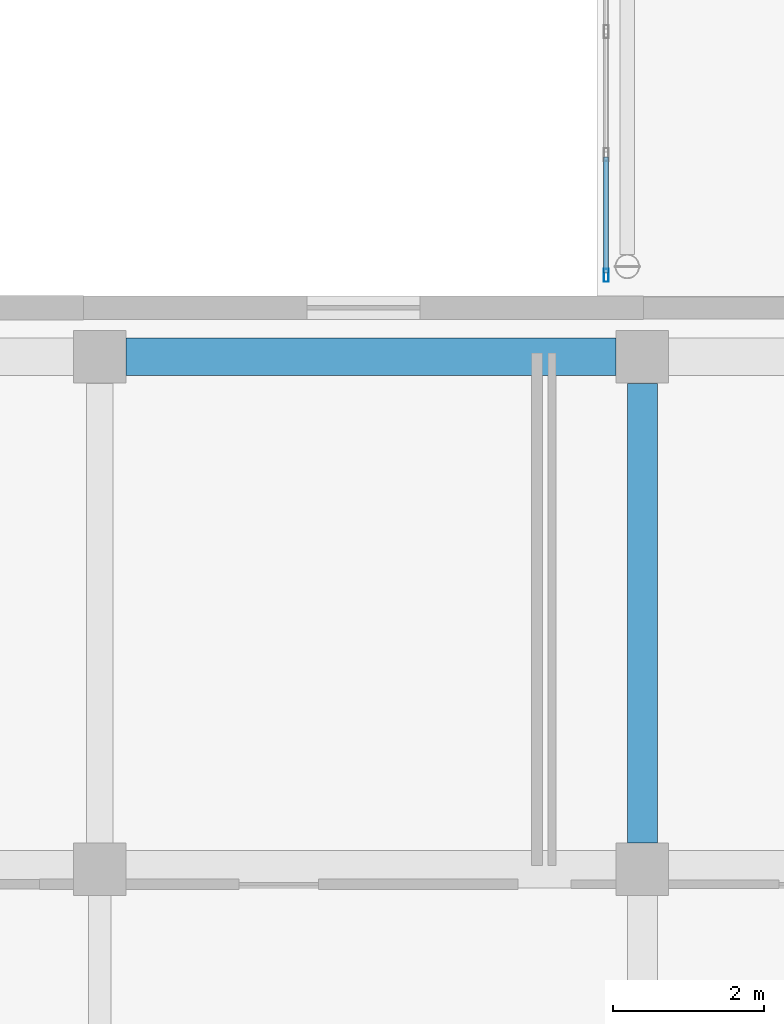
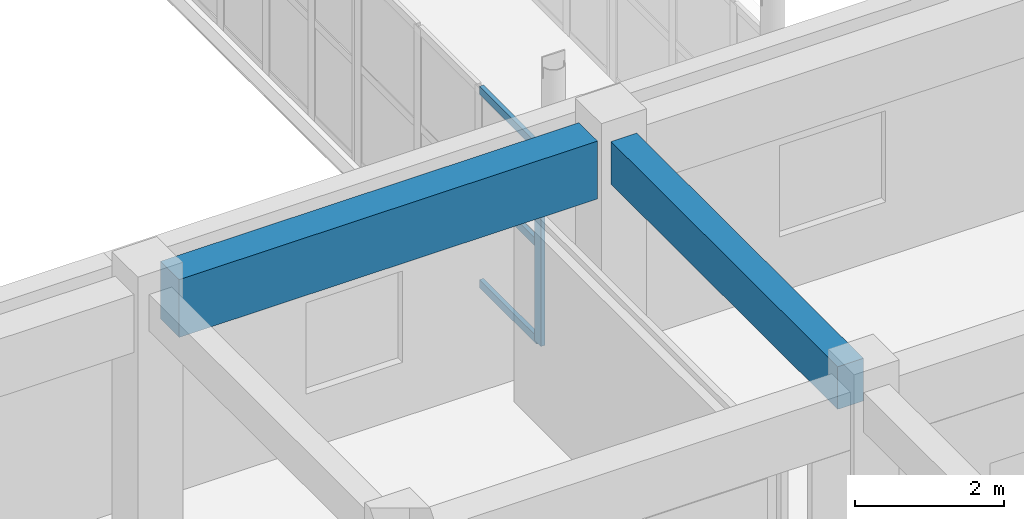
# One storey, part 19 of 142: 4 members, 2 beams, 1 element without a shape of its own.
"""IFC4 building model written with IfcOpenShell, lengths in metres."""

import ifcopenshell
import ifcopenshell.guid

model = None  # the IFC model being written
_history = None  # IfcOwnerHistory: only IFC2X3 demands one
_inside = {}  # id of a spatial element -> (the spatial element, [elements in it])
_under = {}  # id of a project, library or spatial element -> (it, [spatial elements below it])
_declared = {}  # id of a project -> (the project, [libraries it declares])
_typed = {}  # id of a type object -> (the type object, [elements of that type])
_made_of = {}  # id of a material, layer set ... -> (it, [elements and type objects made of it])


def new_model(schema):
    """Start an empty IFC model of exactly this schema.

    Asked for "IFC4X3", IfcOpenShell would pick the latest addendum, in which some entities
    have other attributes; the version numbers below select the first issue.
    IFC2X3 requires an IfcOwnerHistory on every rooted entity: one is made here for all.
    """
    global model, _history
    if schema == "IFC4X3":
        model = ifcopenshell.file(schema_version=(4, 3, 0, 0))
    else:
        model = ifcopenshell.file(schema=schema)
    _inside.clear()
    _under.clear()
    _declared.clear()
    _typed.clear()
    _made_of.clear()
    _history = None
    if model.schema == "IFC2X3":
        org = make("IfcOrganization", Name="unknown")
        user = make(
            "IfcPersonAndOrganization",
            ThePerson=make("IfcPerson", FamilyName="unknown"),
            TheOrganization=org,
        )
        app = make(
            "IfcApplication",
            ApplicationDeveloper=org,
            Version="unknown",
            ApplicationFullName="unknown",
            ApplicationIdentifier="unknown",
        )
        _history = make(
            "IfcOwnerHistory",
            OwningUser=user,
            OwningApplication=app,
            ChangeAction="ADDED",
            CreationDate=0,
        )
    return model


def make(cls, **values):
    """One entity of the class cls with the attributes given. An attribute that is None is left unset."""
    return model.create_entity(
        cls, **{name: value for name, value in values.items() if value is not None}
    )


def rooted(cls, **values):
    """An entity with a GlobalId (a new one), such as an element, a storey or a relation."""
    return make(cls, GlobalId=ifcopenshell.guid.new(), OwnerHistory=_history, **values)


def si_unit(unit_type, name, prefix=None):
    """IfcSIUnit, for example si_unit("LENGTHUNIT", "METRE", prefix="MILLI")."""
    return make("IfcSIUnit", UnitType=unit_type, Prefix=prefix, Name=name)


def assignment(units):
    """IfcUnitAssignment: the units of a project."""
    return None if units is None else make("IfcUnitAssignment", Units=units)


def point(xyz):
    """IfcCartesianPoint."""
    return None if xyz is None else make("IfcCartesianPoint", Coordinates=xyz)


def direction(xyz):
    """IfcDirection."""
    return None if xyz is None else make("IfcDirection", DirectionRatios=xyz)


def frame(location, z_axis=None, x_axis=None):
    """IfcAxis2Placement3D, a coordinate frame: its origin and axes. An axis left out is left unset."""
    return make(
        "IfcAxis2Placement3D",
        Location=point(location),
        Axis=direction(z_axis),
        RefDirection=direction(x_axis),
    )


def frame_2d(location, x_axis=None):
    """IfcAxis2Placement2D, a coordinate frame in the plane: its origin and x axis."""
    return make(
        "IfcAxis2Placement2D", Location=point(location), RefDirection=direction(x_axis)
    )


def origin():
    """The frame at (0, 0, 0) with its axes left unset."""
    return frame((0.0, 0.0, 0.0))


def origin_2d():
    """The frame at (0, 0) in the plane with its x axis left unset."""
    return frame_2d((0.0, 0.0))


def place(relative_to, where):
    """IfcLocalPlacement: puts the frame where relative to a parent placement (None: the world)."""
    return make(
        "IfcLocalPlacement", PlacementRelTo=relative_to, RelativePlacement=where
    )


def context(
    kind, dimensions, precision=None, world=None, true_north=None, identifier=None
):
    """IfcGeometricRepresentationContext, for example the 3D "Model" context."""
    return make(
        "IfcGeometricRepresentationContext",
        ContextIdentifier=identifier,
        ContextType=kind,
        CoordinateSpaceDimension=dimensions,
        Precision=precision,
        WorldCoordinateSystem=world,
        TrueNorth=true_north,
    )


def subcontext(parent, identifier, kind, view, scale=None):
    """IfcGeometricRepresentationSubContext, for example "Body" below "Model"."""
    return make(
        "IfcGeometricRepresentationSubContext",
        ContextIdentifier=identifier,
        ContextType=kind,
        ParentContext=parent,
        TargetScale=scale,
        TargetView=view,
    )


def project(units=None, contexts=None):
    """IfcProject with its units and contexts."""
    return rooted(
        "IfcProject",
        Name="project",
        RepresentationContexts=contexts,
        UnitsInContext=assignment(units),
    )


def spatial(cls, under=None, at=None, **own):
    """A site, building, storey or space (cls), placed at a placement, below another one or the project."""
    s = rooted(cls, ObjectPlacement=at, **own)
    if under is not None:
        _under.setdefault(under.id(), (under, []))[1].append(s)
    return s


def profile(cls, at=None, kind="AREA", **sizes):
    """A parametric profile (cls). Its sizes go by their IFC names, for example OverallWidth=200.0."""
    return make(cls, ProfileType=kind, Position=at, **sizes)


def rectangle(**sizes):
    """IfcRectangleProfileDef."""
    return profile("IfcRectangleProfileDef", **sizes)


def hollow_rectangle(**sizes):
    """IfcRectangleHollowProfileDef."""
    return profile("IfcRectangleHollowProfileDef", **sizes)


def extrude(swept, where, along, depth):
    """IfcExtrudedAreaSolid: the profile swept, set in the frame where, extruded along a direction by depth."""
    return make(
        "IfcExtrudedAreaSolid",
        SweptArea=swept,
        Position=where,
        ExtrudedDirection=direction(along),
        Depth=depth,
    )


def shape(context_of_items, identifier, shape_type, items):
    """IfcShapeRepresentation: the items that make up one representation, for example the "Body"."""
    return make(
        "IfcShapeRepresentation",
        ContextOfItems=context_of_items,
        RepresentationIdentifier=identifier,
        RepresentationType=shape_type,
        Items=items,
    )


def material(Name=None, Category=None):
    """IfcMaterial."""
    return make("IfcMaterial", Name=Name, Category=Category)


def layer(
    of_material, thickness, ventilated=None, Name=None, Category=None, Priority=None
):
    """IfcMaterialLayer: one layer of a wall or slab, of a material (None: an air gap)."""
    return make(
        "IfcMaterialLayer",
        Material=of_material,
        LayerThickness=thickness,
        IsVentilated=ventilated,
        Name=Name,
        Category=Category,
        Priority=Priority,
    )


def layer_set(layers, Name=None):
    """IfcMaterialLayerSet."""
    return make("IfcMaterialLayerSet", MaterialLayers=layers, LayerSetName=Name)


def material_profile(
    of_material, cross_section, Name=None, Category=None, Priority=None
):
    """IfcMaterialProfile: a cross section and its material."""
    return make(
        "IfcMaterialProfile",
        Name=Name,
        Material=of_material,
        Profile=cross_section,
        Priority=Priority,
        Category=Category,
    )


def profile_set(profiles, Name=None, composite=None):
    """IfcMaterialProfileSet."""
    return make(
        "IfcMaterialProfileSet",
        Name=Name,
        MaterialProfiles=profiles,
        CompositeProfile=composite,
    )


def made_of(thing, what):
    """Note that an element or type object is made of a material, layer set ...; save() writes the relation."""
    if what is not None:
        _made_of.setdefault(what.id(), (what, []))[1].append(thing)
    return thing


def type_object(cls, material=None, **own):
    """A type object (cls), such as IfcWallType, which elements share."""
    return made_of(rooted(cls, **own), material)


def element(
    cls,
    number,
    at=None,
    inside=None,
    cuts=None,
    type_object=None,
    material=None,
    context=None,
    identifier="Body",
    shape_type=None,
    held_by="IfcProductDefinitionShape",
    body=None,
    shapes=None,
    **own,
):
    """One element of the class cls, such as IfcWall. Its Tag is "e" and its number.

    at: its placement. inside: the storey or other place that contains it. cuts: it is an
    opening in that element (IfcRelVoidsElement). A single representation is given by context,
    identifier, shape_type and body (its items); several are given by shapes. held_by: the class
    of the entity that holds the representations. save() writes the other relations.
    """
    e = rooted(cls, Tag="e%d" % number, ObjectPlacement=at, **own)
    if body is not None:
        shapes = [shape(context, identifier, shape_type, body)]
    if shapes is not None:
        e.Representation = make(held_by, Representations=shapes)
    if inside is not None:
        _inside.setdefault(inside.id(), (inside, []))[1].append(e)
    if cuts is not None:
        rooted(
            "IfcRelVoidsElement", RelatingBuildingElement=cuts, RelatedOpeningElement=e
        )
    if type_object is not None:
        _typed.setdefault(type_object.id(), (type_object, []))[1].append(e)
    return made_of(e, material)


def aggregate(whole, parts):
    """IfcRelAggregates: a whole, such as a stair, and the parts it consists of."""
    return rooted("IfcRelAggregates", RelatingObject=whole, RelatedObjects=parts)


def save(model, path):
    """Write the relations noted so far, then the file.

    IfcRelAggregates (storeys below a building ...), IfcRelContainedInSpatialStructure (elements
    in a storey), IfcRelDefinesByType, IfcRelAssociatesMaterial and IfcRelDeclares: one each for
    every whole, place, type object, material and project.
    """
    for whole, parts in _under.values():
        aggregate(whole, parts)
    for where, things in _inside.values():
        rooted(
            "IfcRelContainedInSpatialStructure",
            RelatedElements=things,
            RelatingStructure=where,
        )
    for kind, things in _typed.values():
        rooted("IfcRelDefinesByType", RelatedObjects=things, RelatingType=kind)
    for what, things in _made_of.values():
        rooted("IfcRelAssociatesMaterial", RelatedObjects=things, RelatingMaterial=what)
    for by, libraries in _declared.values():
        rooted("IfcRelDeclares", RelatingContext=by, RelatedDefinitions=libraries)
    model.write(path)


model = new_model("IFC4")

# Units and contexts
model_context = context("Model", 3, precision=1e-05, world=origin(), true_north=direction((0.0, 1.0)))
body_context = subcontext(model_context, "Body", "Model", "MODEL_VIEW")
ifc_project = project(units=[si_unit("LENGTHUNIT", "METRE"), si_unit("AREAUNIT", "SQUARE_METRE"), si_unit("VOLUMEUNIT", "CUBIC_METRE"), si_unit("PLANEANGLEUNIT", "RADIAN"), si_unit("MASSUNIT", "GRAM", prefix="KILO")], contexts=[model_context])

# Site, building, storey
site_placement = place(None, origin())
site = spatial("IfcSite", under=ifc_project, at=site_placement, CompositionType="ELEMENT")
building_placement = place(site_placement, origin())
building = spatial("IfcBuilding", under=site, at=building_placement, Name="Valcora Specialist Clinic", CompositionType="ELEMENT")
storey_placement = place(building_placement, frame((0.0, 0.0, 5.10009765625)))
storey = spatial("IfcBuildingStorey", under=building, at=storey_placement, Name="L01", CompositionType="ELEMENT", Elevation=5.10009765625)

# Beams
ifc_material_1 = material(Name="Concrete C40/50", Category="concrete")
ifc_material_profile_1 = material_profile(ifc_material_1, rectangle(XDim=0.39990234375, YDim=0.699951171875, at=origin_2d()), Name="RC-BM-400X700")
ifc_profile_set_1 = profile_set([ifc_material_profile_1], Name="Concrete C40/50")
beam_type_1 = type_object("IfcBeamType", Name="TY-BM-RC400X700", PredefinedType="BEAM", material=ifc_profile_set_1)
beam_1_placement = place(storey_placement, frame((23.39990234375, 15.550048828125, 3.724853515625), z_axis=(0.0, 1.0, 0.0), x_axis=(-1.0, 0.0, 0.0)))
element("IfcBeam", 1, at=beam_1_placement, inside=storey, type_object=beam_type_1, Name="Beam BM-L01-0968", PredefinedType="BEAM", context=body_context, shape_type="SweptSolid", body=[
    extrude(rectangle(XDim=0.39990234375, YDim=0.699951171875, at=origin_2d()), origin(), (0.0, 0.0, 1.0), 6.099853515625),
])
ifc_material_profile_2 = material_profile(ifc_material_1, rectangle(XDim=0.5, YDim=0.949951171875, at=origin_2d()), Name="RC-BM-500X950")
ifc_profile_set_2 = profile_set([ifc_material_profile_2], Name="Concrete C40/50")
beam_type_2 = type_object("IfcBeamType", Name="TY-BM-TR500X950", PredefinedType="BEAM", material=ifc_profile_set_2)
beam_2_placement = place(storey_placement, frame((16.550048828125, 22.0, 3.599853515625), z_axis=(1.0, 0.0, 0.0), x_axis=(0.0, 1.0, 0.0)))
element("IfcBeam", 2, at=beam_2_placement, inside=storey, type_object=beam_type_2, Name="Beam BM-L01-0955", PredefinedType="BEAM", context=body_context, shape_type="SweptSolid", body=[
    extrude(rectangle(XDim=0.5, YDim=0.949951171875, at=origin_2d()), origin(), (0.0, 0.0, 1.0), 6.5),
])

# Curtain wall, members
ifc_material_2 = material(Name="Anodized Bronze Aluminium 6063-T6", Category="aluminium")
ifc_layer = layer(ifc_material_2, 0.175048828125)
ifc_layer_set = layer_set([ifc_layer], Name="Anodized Bronze Aluminium 6063-T6")
curtain_wall_type = type_object("IfcCurtainWallType", Name="TY-CW-BRG14", PredefinedType="NOTDEFINED", material=ifc_layer_set)
curtain_wall_placement = place(storey_placement, origin())
curtain_wall = element("IfcCurtainWall", 3, at=curtain_wall_placement, inside=storey, type_object=curtain_wall_type, Name="Curtain wall CW-L01-225", PredefinedType="NOTDEFINED")
ifc_material_profile_3 = material_profile(ifc_material_2, hollow_rectangle(XDim=0.06494140625, YDim=0.175048828125, WallThickness=0.00390625, at=origin_2d()), Name="AL-MUL-65X175")
ifc_profile_set_3 = profile_set([ifc_material_profile_3], Name="Anodized Bronze Aluminium 6063-T6")
member_type_1 = type_object("IfcMemberType", Name="TY-CWM-65X175", PredefinedType="MULLION", material=ifc_profile_set_3)
member_1_placement = place(storey_placement, frame((22.919921875, 23.08251953125, 0.0), z_axis=(0.0, 0.0, 1.0), x_axis=(-1.0, 0.0, 0.0)))
member_1 = element("IfcMember", 4, at=member_1_placement, type_object=member_type_1, Name="CW-BRG-14 mullion 1", PredefinedType="MULLION", context=body_context, shape_type="SweptSolid", body=[
    extrude(hollow_rectangle(XDim=0.06494140625, YDim=0.175048828125, WallThickness=0.00390625, at=origin_2d()), origin(), (0.0, 0.0, 1.0), 3.239990234375),
])
ifc_material_profile_4 = material_profile(ifc_material_2, hollow_rectangle(XDim=0.06494140625, YDim=0.1298828125, WallThickness=0.00390625, at=origin_2d()), Name="AL-TRN-65X130")
ifc_profile_set_4 = profile_set([ifc_material_profile_4], Name="Anodized Bronze Aluminium 6063-T6")
member_type_2 = type_object("IfcMemberType", Name="TY-CWT-65X130", PredefinedType="USERDEFINED", material=ifc_profile_set_4)
member_2_placement = place(storey_placement, frame((22.919921875, 23.114990234375, 0.032470703125), z_axis=(0.0, 1.0, 0.0), x_axis=(-1.0, 0.0, 0.0)))
member_2 = element("IfcMember", 5, at=member_2_placement, type_object=member_type_2, Name="CW-BRG-14 transom 1.1", ObjectType="TRANSOM", PredefinedType="USERDEFINED", context=body_context, shape_type="SweptSolid", body=[
    extrude(hollow_rectangle(XDim=0.06494140625, YDim=0.1298828125, WallThickness=0.00390625, at=origin_2d()), origin(), (0.0, 0.0, 1.0), 1.535888671875),
])
member_3_placement = place(storey_placement, frame((22.919921875, 23.114990234375, 1.619873046875), z_axis=(0.0, 1.0, 0.0), x_axis=(-1.0, 0.0, 0.0)))
member_3 = element("IfcMember", 6, at=member_3_placement, type_object=member_type_2, Name="CW-BRG-14 transom 1.2", ObjectType="TRANSOM", PredefinedType="USERDEFINED", context=body_context, shape_type="SweptSolid", body=[
    extrude(hollow_rectangle(XDim=0.06494140625, YDim=0.1298828125, WallThickness=0.00390625, at=origin_2d()), origin(), (0.0, 0.0, 1.0), 1.535888671875),
])
member_4_placement = place(storey_placement, frame((22.919921875, 23.114990234375, 3.20751953125), z_axis=(0.0, 1.0, 0.0), x_axis=(-1.0, 0.0, 0.0)))
member_4 = element("IfcMember", 7, at=member_4_placement, type_object=member_type_2, Name="CW-BRG-14 transom 1.3", ObjectType="TRANSOM", PredefinedType="USERDEFINED", context=body_context, shape_type="SweptSolid", body=[
    extrude(hollow_rectangle(XDim=0.06494140625, YDim=0.1298828125, WallThickness=0.00390625, at=origin_2d()), origin(), (0.0, 0.0, 1.0), 1.535888671875),
])
aggregate(curtain_wall, [member_1, member_2, member_3, member_4])

save(model, "model.ifc")
